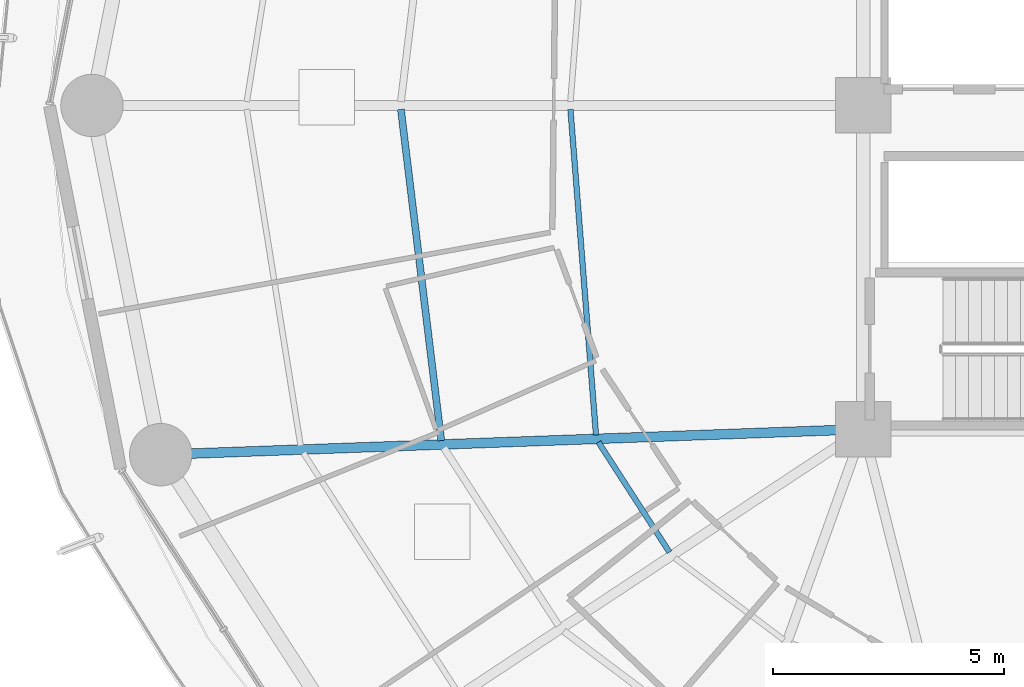
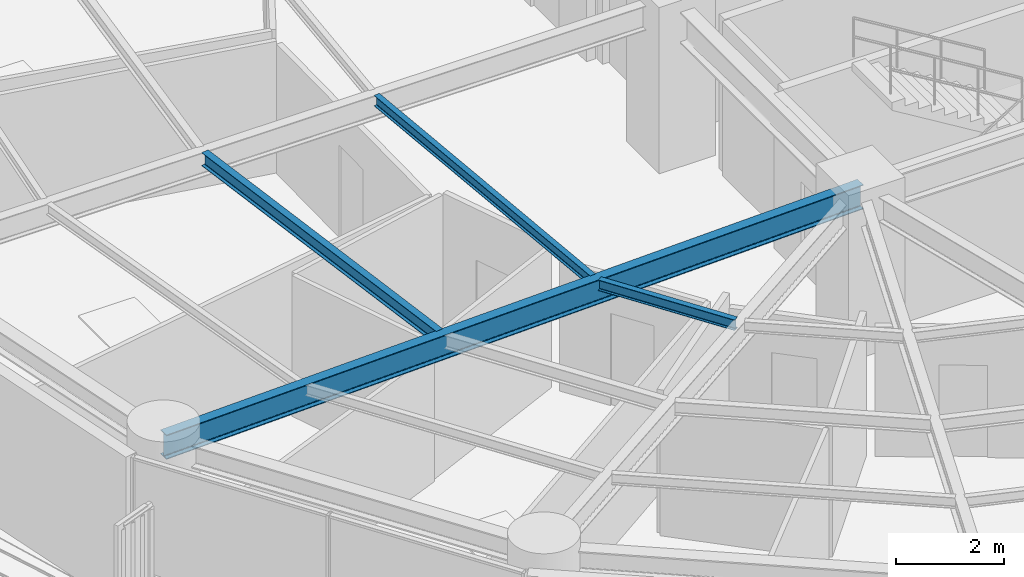
# One storey, part 7 of 35: 4 beams.
"""IFC4 building model written with IfcOpenShell, lengths in metres."""

from ifc_helpers import new_model, si_unit, direction, frame, origin, origin_2d, place, context, subcontext, project, spatial, i_section, extrude, material, material_profile, profile_set, type_object, element, save


model = new_model("IFC4")

# Units and contexts
model_context = context("Model", 3, precision=1e-05, world=origin(), true_north=direction((0.0, 1.0)))
body_context = subcontext(model_context, "Body", "Model", "MODEL_VIEW")
ifc_project = project(units=[si_unit("LENGTHUNIT", "METRE"), si_unit("AREAUNIT", "SQUARE_METRE"), si_unit("VOLUMEUNIT", "CUBIC_METRE"), si_unit("PLANEANGLEUNIT", "RADIAN"), si_unit("MASSUNIT", "GRAM", prefix="KILO")], contexts=[model_context])

# Site, building, storey
site_placement = place(None, origin())
site = spatial("IfcSite", under=ifc_project, at=site_placement, CompositionType="ELEMENT")
building_placement = place(site_placement, origin())
building = spatial("IfcBuilding", under=site, at=building_placement, Name="Kelanora Arch Commons", CompositionType="ELEMENT")
storey_placement = place(building_placement, frame((0.0, 0.0, 117.60009765625)))
storey = spatial("IfcBuildingStorey", under=building, at=storey_placement, Name="L30", CompositionType="ELEMENT", Elevation=117.60009765625)

# Beams
ifc_material = material(Name="Steel S355", Category="steel")
ifc_material_profile_1 = material_profile(ifc_material, i_section(OverallWidth=0.14990234375, OverallDepth=0.300048828125, WebThickness=0.007080078125, FlangeThickness=0.0107421875, FilletRadius=0.014892578125, at=origin_2d()), Name="IPE300")
ifc_profile_set_1 = profile_set([ifc_material_profile_1], Name="Steel S355")
beam_type_1 = type_object("IfcBeamType", Name="BM-JST-01", PredefinedType="JOIST", material=ifc_profile_set_1)
beam_1_placement = place(storey_placement, frame((56.002197265625, 57.91552734375, 3.33984375), z_axis=(0.120935645266, -0.992660349618, 0.0), x_axis=(0.992660349618, 0.120935645266, 0.0)))
element("IfcBeam", 1, at=beam_1_placement, inside=storey, type_object=beam_type_1, Name="Secondary Chord Joist BJB-18 L30", PredefinedType="JOIST", context=body_context, shape_type="SweptSolid", body=[
    extrude(i_section(OverallWidth=0.14990234375, OverallDepth=0.300048828125, WebThickness=0.007080078125, FlangeThickness=0.0107421875, FilletRadius=0.014892578125, at=origin_2d()), origin(), (0.0, 0.0, 1.0), 7.215087890625),
])
ifc_material_profile_2 = material_profile(ifc_material, i_section(OverallWidth=0.1201171875, OverallDepth=0.239990234375, WebThickness=0.006103515625, FlangeThickness=0.009765625, FilletRadius=0.014892578125, at=origin_2d()), Name="IPE240")
ifc_profile_set_2 = profile_set([ifc_material_profile_2], Name="Steel S355")
beam_type_2 = type_object("IfcBeamType", Name="BM-JST-02", PredefinedType="JOIST", material=ifc_profile_set_2)
beam_2_placement = place(storey_placement, frame((59.668212890625, 57.915283203125, 3.369873046875), z_axis=(0.078200677502, -0.996937637989, 0.0), x_axis=(0.996937637989, 0.078200677502, 0.0)))
element("IfcBeam", 2, at=beam_2_placement, inside=storey, type_object=beam_type_2, Name="Secondary Chord Joist BJA-18 L30", PredefinedType="JOIST", context=body_context, shape_type="SweptSolid", body=[
    extrude(i_section(OverallWidth=0.1201171875, OverallDepth=0.239990234375, WebThickness=0.006103515625, FlangeThickness=0.009765625, FilletRadius=0.014892578125, at=origin_2d()), origin(), (0.0, 0.0, 1.0), 7.06201171875),
])
beam_3_placement = place(storey_placement, frame((60.273193359375, 50.718994140625, 3.369873046875), z_axis=(0.542211255502, -0.840242199849, 0.0), x_axis=(0.840242199849, 0.542211255502, 0.0)))
element("IfcBeam", 3, at=beam_3_placement, inside=storey, type_object=beam_type_2, Name="Secondary Chord Joist BJA-20 L30", PredefinedType="JOIST", context=body_context, shape_type="SweptSolid", body=[
    extrude(i_section(OverallWidth=0.1201171875, OverallDepth=0.239990234375, WebThickness=0.006103515625, FlangeThickness=0.009765625, FilletRadius=0.014892578125, at=origin_2d()), origin(), (0.0, 0.0, 1.0), 2.83349609375),
])
ifc_material_profile_3 = material_profile(ifc_material, i_section(OverallWidth=0.2099609375, OverallDepth=0.550048828125, WebThickness=0.010986328125, FlangeThickness=0.01708984375, FilletRadius=0.02392578125, at=origin_2d()), Name="IPE550")
ifc_profile_set_3 = profile_set([ifc_material_profile_3], Name="Steel S355")
beam_type_3 = type_object("IfcBeamType", Name="BM-RAD-Z2", PredefinedType="BEAM", material=ifc_profile_set_3)
beam_4_placement = place(storey_placement, frame((66.0, 51.0, 3.21484375), z_axis=(-0.999341087625, -0.036295875581, 0.0), x_axis=(0.036295875581, -0.999341087625, 0.0)))
element("IfcBeam", 4, at=beam_4_placement, inside=storey, type_object=beam_type_3, Name="Radial Floor Girder BR-20 L30", PredefinedType="BEAM", context=body_context, shape_type="SweptSolid", body=[
    extrude(i_section(OverallWidth=0.2099609375, OverallDepth=0.550048828125, WebThickness=0.010986328125, FlangeThickness=0.01708984375, FilletRadius=0.02392578125, at=origin_2d()), origin(), (0.0, 0.0, 1.0), 15.20166015625),
])

save(model, "model.ifc")
